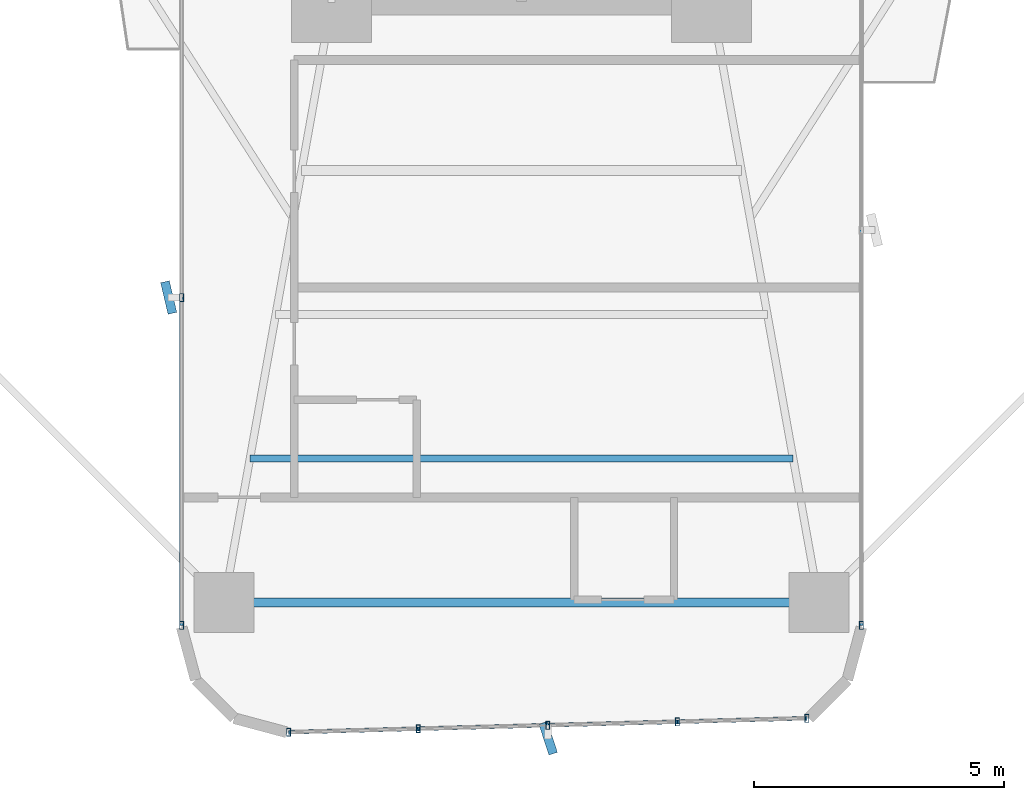
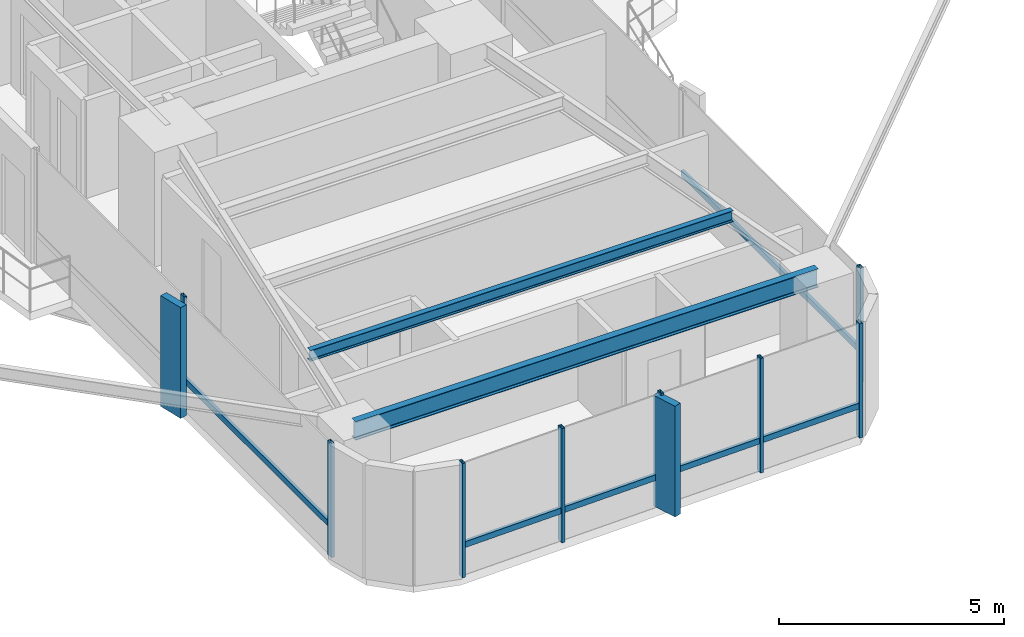
# One storey, part 2 of 25: 16 members, 2 beams, 3 elements without a shape of their own.
"""IFC4 building model written with IfcOpenShell, lengths in metres."""

from ifc_helpers import new_model, si_unit, direction, frame, origin, origin_2d, place, context, subcontext, project, spatial, rectangle, hollow_rectangle, i_section, extrude, source, transform, mapped, material, material_profile, profile_set, type_object, element, aggregate, save


model = new_model("IFC4")

# Units and contexts
model_context = context("Model", 3, precision=1e-05, world=origin(), true_north=direction((0.0, 1.0)))
body_context = subcontext(model_context, "Body", "Model", "MODEL_VIEW")
ifc_project = project(units=[si_unit("LENGTHUNIT", "METRE"), si_unit("AREAUNIT", "SQUARE_METRE"), si_unit("VOLUMEUNIT", "CUBIC_METRE"), si_unit("PLANEANGLEUNIT", "RADIAN"), si_unit("MASSUNIT", "GRAM", prefix="KILO")], contexts=[model_context])

# Site, building, storey
site_placement = place(None, origin())
site = spatial("IfcSite", under=ifc_project, at=site_placement, CompositionType="ELEMENT")
building_placement = place(site_placement, origin())
building = spatial("IfcBuilding", under=site, at=building_placement, Name="Sahyath Konkavel Grand Hotel", CompositionType="ELEMENT")
storey_placement = place(building_placement, frame((0.0, 0.0, 33.14990234375)))
storey = spatial("IfcBuildingStorey", under=building, at=storey_placement, Name="L08", CompositionType="ELEMENT", Elevation=33.14990234375)

# Beams
ifc_material_1 = material(Name="Steel E350", Category="steel")
ifc_material_profile_1 = material_profile(ifc_material_1, i_section(OverallWidth=0.179931640625, OverallDepth=0.5, WebThickness=0.01025390625, FlangeThickness=0.01708984375, FilletRadius=0.01708984375, at=origin_2d()), Name="ISMB 500")
ifc_profile_set_1 = profile_set([ifc_material_profile_1], Name="Steel E350")
beam_type_1 = type_object("IfcBeamType", Name="BM-ISMB500", PredefinedType="BEAM", material=ifc_profile_set_1)
shared_shape_1 = source(origin(), body_context, "Body", "SweptSolid", [
    extrude(i_section(OverallWidth=0.179931640625, OverallDepth=0.5, WebThickness=0.01025390625, FlangeThickness=0.01708984375, FilletRadius=0.01708984375, at=origin_2d()), origin(), (0.0, 0.0, 1.0), 11.89990234375),
])
beam_1_placement = place(storey_placement, frame((-5.949951171875, -22.199951171875, 2.860107421875), z_axis=(1.0, 0.0, 0.0), x_axis=(0.0, 1.0, 0.0)))
element("IfcBeam", 1, at=beam_1_placement, inside=storey, type_object=beam_type_1, Name="L08 Wing Tip Edge Beam S", PredefinedType="BEAM", context=body_context, shape_type="MappedRepresentation", body=[
    mapped(shared_shape_1, transform((0.0, 0.0, 0.0), scale=1.0)),
])
ifc_material_profile_2 = material_profile(ifc_material_1, i_section(OverallWidth=0.139892578125, OverallDepth=0.300048828125, WebThickness=0.0078125, FlangeThickness=0.01318359375, FilletRadius=0.013916015625, at=origin_2d()), Name="ISMB 300")
ifc_profile_set_2 = profile_set([ifc_material_profile_2], Name="Steel E350")
beam_type_2 = type_object("IfcBeamType", Name="BM-ISMB300", PredefinedType="BEAM", material=ifc_profile_set_2)
shared_shape_2 = source(origin(), body_context, "Body", "SweptSolid", [
    extrude(i_section(OverallWidth=0.139892578125, OverallDepth=0.300048828125, WebThickness=0.0078125, FlangeThickness=0.01318359375, FilletRadius=0.013916015625, at=origin_2d()), origin(), (0.0, 0.0, 1.0), 10.8681640625),
])
beam_2_placement = place(storey_placement, frame((-5.43408203125, -19.320068359375, 2.960205078125), z_axis=(1.0, 0.0, 0.0), x_axis=(0.0, 1.0, 0.0)))
element("IfcBeam", 2, at=beam_2_placement, inside=storey, type_object=beam_type_2, Name="L08 Secondary Floor Beam S-3", PredefinedType="BEAM", context=body_context, shape_type="MappedRepresentation", body=[
    mapped(shared_shape_2, transform((0.0, 0.0, 0.0), scale=1.0)),
])

# Curtain wall, member
ifc_material_2 = material(Name="Anodised Bronze Aluminium & Low-E Glazing", Category="aluminium")
curtain_wall_type = type_object("IfcCurtainWallType", Name="CW-ZONE1", PredefinedType="NOTDEFINED", material=ifc_material_2)
curtain_wall_1_placement = place(storey_placement, origin())
curtain_wall_1 = element("IfcCurtainWall", 3, at=curtain_wall_1_placement, inside=storey, type_object=curtain_wall_type, Name="L08 Unitised Curtain Wall F24", PredefinedType="NOTDEFINED")
ifc_material_3 = material(Name="Warm Buff Sandstone Cladding on Concrete C50/60", Category="masonry")
ifc_material_profile_3 = material_profile(ifc_material_3, rectangle(XDim=0.179931640625, YDim=0.64990234375, at=origin_2d()), Name="FIN 180x650")
ifc_profile_set_3 = profile_set([ifc_material_profile_3], Name="Warm Buff Sandstone Cladding on Concrete C50/60")
member_type_1 = type_object("IfcMemberType", Name="FIN-SANDSTONE-650", PredefinedType="MULLION", material=ifc_profile_set_3)
shared_shape_3 = source(origin(), body_context, "Body", "SweptSolid", [
    extrude(rectangle(XDim=0.179931640625, YDim=0.64990234375, at=origin_2d()), origin(), (0.0, 0.0, 1.0), 3.010009765625),
])
member_1_placement = place(storey_placement, frame((-7.06005859375, -16.10009765625, 0.050048828125), z_axis=(0.0, 0.0, 1.0), x_axis=(0.973138706701, 0.230219585439, 0.0)))
member_1 = element("IfcMember", 4, at=member_1_placement, type_object=member_type_1, Name="L08 Sandstone Vertical Solar Fin FIN F24-1", PredefinedType="MULLION", context=body_context, shape_type="MappedRepresentation", body=[
    mapped(shared_shape_3, transform((0.0, 0.0, 0.0), scale=1.0)),
])

curtain_wall_2_placement = place(storey_placement, origin())
curtain_wall_2 = element("IfcCurtainWall", 5, at=curtain_wall_2_placement, inside=storey, type_object=curtain_wall_type, Name="L08 Unitised Curtain Wall F28", PredefinedType="NOTDEFINED")
member_2_placement = place(storey_placement, frame((0.531982421875, -24.919189453125, 0.050048828125), z_axis=(0.0, 0.0, 1.0), x_axis=(0.951164325631, 0.308684994204, 0.0)))
member_2 = element("IfcMember", 6, at=member_2_placement, type_object=member_type_1, Name="L08 Sandstone Vertical Solar Fin FIN F28-2", PredefinedType="MULLION", context=body_context, shape_type="MappedRepresentation", body=[
    mapped(shared_shape_3, transform((0.0, 0.0, 0.0), scale=1.0)),
])

curtain_wall_3_placement = place(storey_placement, origin())
curtain_wall_3 = element("IfcCurtainWall", 7, at=curtain_wall_3_placement, inside=storey, type_object=curtain_wall_type, Name="L08 Unitised Curtain Wall F31", PredefinedType="NOTDEFINED")
ifc_material_4 = material(Name="Anodised Bronze Aluminium", Category="aluminium")
ifc_material_profile_4 = material_profile(ifc_material_4, hollow_rectangle(XDim=0.080078125, YDim=0.159912109375, WallThickness=0.006103515625, at=origin_2d()), Name="RHS 160x80x6")
ifc_profile_set_4 = profile_set([ifc_material_profile_4], Name="Anodised Bronze Aluminium")
member_type_2 = type_object("IfcMemberType", Name="CW-TRN-160", PredefinedType="USERDEFINED", material=ifc_profile_set_4)
shared_shape_4 = source(origin(), body_context, "Body", "SweptSolid", [
    extrude(hollow_rectangle(XDim=0.080078125, YDim=0.159912109375, WallThickness=0.006103515625, at=origin_2d()), origin(), (0.0, 0.0, 1.0), 7.909912109375),
])
member_3_placement = place(storey_placement, frame((6.800048828125, -22.659912109375, 0.85009765625), z_axis=(0.0, 1.0, 0.0), x_axis=(-1.0, 0.0, 0.0)))
member_3 = element("IfcMember", 8, at=member_3_placement, type_object=member_type_2, Name="L08 Curtain Wall Transom F31-0-spandrel", ObjectType="TRANSOM", PredefinedType="USERDEFINED", context=body_context, shape_type="MappedRepresentation", body=[
    mapped(shared_shape_4, transform((0.0, 0.0, 0.0), scale=1.0)),
])

# Member
shared_shape_5 = source(origin(), body_context, "Body", "SweptSolid", [
    extrude(hollow_rectangle(XDim=0.080078125, YDim=0.159912109375, WallThickness=0.006103515625, at=origin_2d()), origin(), (0.0, 0.0, 1.0), 2.593505859375),
])
member_4_placement = place(storey_placement, frame((-4.659912109375, -24.798828125, 0.85009765625), z_axis=(0.999637507825, 0.026923093252, 0.0), x_axis=(-0.026923093252, 0.999637507825, 0.0)))
member_4 = element("IfcMember", 9, at=member_4_placement, type_object=member_type_2, Name="L08 Curtain Wall Transom F28-0-spandrel", ObjectType="TRANSOM", PredefinedType="USERDEFINED", context=body_context, shape_type="MappedRepresentation", body=[
    mapped(shared_shape_5, transform((0.0, 0.0, 0.0), scale=1.0)),
])

member_5_placement = place(storey_placement, frame((0.52490234375, -24.6591796875, 0.85009765625), z_axis=(0.999640036937, 0.02682902444, 0.0), x_axis=(-0.02682902444, 0.999640036937, 0.0)))
member_5 = element("IfcMember", 10, at=member_5_placement, type_object=member_type_2, Name="L08 Curtain Wall Transom F28-2-spandrel", ObjectType="TRANSOM", PredefinedType="USERDEFINED", context=body_context, shape_type="MappedRepresentation", body=[
    mapped(shared_shape_5, transform((0.0, 0.0, 0.0), scale=1.0)),
])

member_6_placement = place(storey_placement, frame((3.117431640625, -24.589599609375, 0.85009765625), z_axis=(0.999637507825, 0.026923093252, 0.0), x_axis=(-0.026923093252, 0.999637507825, 0.0)))
member_6 = element("IfcMember", 11, at=member_6_placement, type_object=member_type_2, Name="L08 Curtain Wall Transom F28-3-spandrel", ObjectType="TRANSOM", PredefinedType="USERDEFINED", context=body_context, shape_type="MappedRepresentation", body=[
    mapped(shared_shape_5, transform((0.0, 0.0, 0.0), scale=1.0)),
])

shared_shape_6 = source(origin(), body_context, "Body", "SweptSolid", [
    extrude(hollow_rectangle(XDim=0.080078125, YDim=0.159912109375, WallThickness=0.006103515625, at=origin_2d()), origin(), (0.0, 0.0, 1.0), 2.59326171875),
])
member_7_placement = place(storey_placement, frame((-2.0673828125, -24.72900390625, 0.85009765625), z_axis=(0.99963743958, 0.026925627022, 0.0), x_axis=(-0.026925627022, 0.99963743958, 0.0)))
member_7 = element("IfcMember", 12, at=member_7_placement, type_object=member_type_2, Name="L08 Curtain Wall Transom F28-1-spandrel", ObjectType="TRANSOM", PredefinedType="USERDEFINED", context=body_context, shape_type="MappedRepresentation", body=[
    mapped(shared_shape_6, transform((0.0, 0.0, 0.0), scale=1.0)),
])

ifc_material_profile_5 = material_profile(ifc_material_4, hollow_rectangle(XDim=0.080078125, YDim=0.159912109375, WallThickness=0.006103515625, at=origin_2d()), Name="RHS 160x80x6")
ifc_profile_set_5 = profile_set([ifc_material_profile_5], Name="Anodised Bronze Aluminium")
member_type_3 = type_object("IfcMemberType", Name="CW-MUL-160", PredefinedType="MULLION", material=ifc_profile_set_5)
shared_shape_7 = source(origin(), body_context, "Body", "SweptSolid", [
    extrude(hollow_rectangle(XDim=0.080078125, YDim=0.159912109375, WallThickness=0.006103515625, at=origin_2d()), origin(), (0.0, 0.0, 1.0), 3.110107421875),
])
member_8_placement = place(storey_placement, frame((-6.800048828125, -16.10009765625, 0.0), z_axis=(0.0, 0.0, 1.0), x_axis=(1.0, 0.0, 0.0)))
member_8 = element("IfcMember", 13, at=member_8_placement, type_object=member_type_3, Name="L08 Curtain Wall Mullion F24-1", PredefinedType="MULLION", context=body_context, shape_type="MappedRepresentation", body=[
    mapped(shared_shape_7, transform((0.0, 0.0, 0.0), scale=1.0)),
])

member_9_placement = place(storey_placement, frame((-6.800048828125, -22.659912109375, 0.0), z_axis=(0.0, 0.0, 1.0), x_axis=(1.0, 0.0, 0.0)))
member_9 = element("IfcMember", 14, at=member_9_placement, type_object=member_type_3, Name="L08 Curtain Wall Mullion F24-2", PredefinedType="MULLION", context=body_context, shape_type="MappedRepresentation", body=[
    mapped(shared_shape_7, transform((0.0, 0.0, 0.0), scale=1.0)),
])

member_10_placement = place(storey_placement, frame((-4.659912109375, -24.798828125, 0.0), z_axis=(0.0, 0.0, 1.0), x_axis=(1.0, 0.0, 0.0)))
member_10 = element("IfcMember", 15, at=member_10_placement, type_object=member_type_3, Name="L08 Curtain Wall Mullion F28-0", PredefinedType="MULLION", context=body_context, shape_type="MappedRepresentation", body=[
    mapped(shared_shape_7, transform((0.0, 0.0, 0.0), scale=1.0)),
])

member_11_placement = place(storey_placement, frame((-2.0673828125, -24.72900390625, 0.0), z_axis=(0.0, 0.0, 1.0), x_axis=(1.0, 0.0, 0.0)))
member_11 = element("IfcMember", 16, at=member_11_placement, type_object=member_type_3, Name="L08 Curtain Wall Mullion F28-1", PredefinedType="MULLION", context=body_context, shape_type="MappedRepresentation", body=[
    mapped(shared_shape_7, transform((0.0, 0.0, 0.0), scale=1.0)),
])

member_12_placement = place(storey_placement, frame((0.52490234375, -24.6591796875, 0.0), z_axis=(0.0, 0.0, 1.0), x_axis=(1.0, 0.0, 0.0)))
member_12 = element("IfcMember", 17, at=member_12_placement, type_object=member_type_3, Name="L08 Curtain Wall Mullion F28-2", PredefinedType="MULLION", context=body_context, shape_type="MappedRepresentation", body=[
    mapped(shared_shape_7, transform((0.0, 0.0, 0.0), scale=1.0)),
])

member_13_placement = place(storey_placement, frame((3.117431640625, -24.589599609375, 0.0), z_axis=(0.0, 0.0, 1.0), x_axis=(1.0, 0.0, 0.0)))
member_13 = element("IfcMember", 18, at=member_13_placement, type_object=member_type_3, Name="L08 Curtain Wall Mullion F28-3", PredefinedType="MULLION", context=body_context, shape_type="MappedRepresentation", body=[
    mapped(shared_shape_7, transform((0.0, 0.0, 0.0), scale=1.0)),
])

member_14_placement = place(storey_placement, frame((5.7099609375, -24.519775390625, 0.0), z_axis=(0.0, 0.0, 1.0), x_axis=(1.0, 0.0, 0.0)))
member_14 = element("IfcMember", 19, at=member_14_placement, type_object=member_type_3, Name="L08 Curtain Wall Mullion F28-4", PredefinedType="MULLION", context=body_context, shape_type="MappedRepresentation", body=[
    mapped(shared_shape_7, transform((0.0, 0.0, 0.0), scale=1.0)),
])

aggregate(curtain_wall_2, [member_10, member_11, member_12, member_2, member_13, member_14, member_4, member_7, member_5, member_6])

member_15_placement = place(storey_placement, frame((6.800048828125, -22.659912109375, 0.0), z_axis=(0.0, 0.0, 1.0), x_axis=(1.0, 0.0, 0.0)))
member_15 = element("IfcMember", 20, at=member_15_placement, type_object=member_type_3, Name="L08 Curtain Wall Mullion F31-0", PredefinedType="MULLION", context=body_context, shape_type="MappedRepresentation", body=[
    mapped(shared_shape_7, transform((0.0, 0.0, 0.0), scale=1.0)),
])

aggregate(curtain_wall_3, [member_15, member_3])

shared_shape_8 = source(origin(), body_context, "Body", "SweptSolid", [
    extrude(hollow_rectangle(XDim=0.080078125, YDim=0.159912109375, WallThickness=0.006103515625, at=origin_2d()), origin(), (0.0, 0.0, 1.0), 6.559814453125),
])
member_16_placement = place(storey_placement, frame((-6.800048828125, -16.10009765625, 0.85009765625), z_axis=(0.0, -1.0, 0.0), x_axis=(1.0, 0.0, 0.0)))
member_16 = element("IfcMember", 21, at=member_16_placement, type_object=member_type_2, Name="L08 Curtain Wall Transom F24-1-spandrel", ObjectType="TRANSOM", PredefinedType="USERDEFINED", context=body_context, shape_type="MappedRepresentation", body=[
    mapped(shared_shape_8, transform((0.0, 0.0, 0.0), scale=1.0)),
])

aggregate(curtain_wall_1, [member_8, member_1, member_9, member_16])

save(model, "model.ifc")
